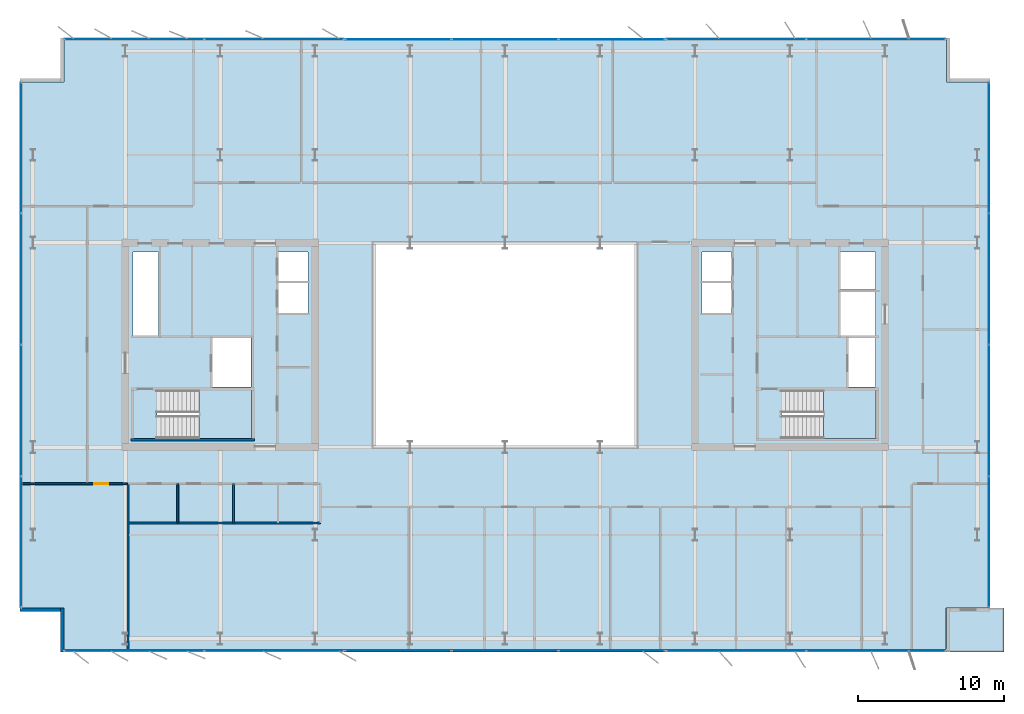
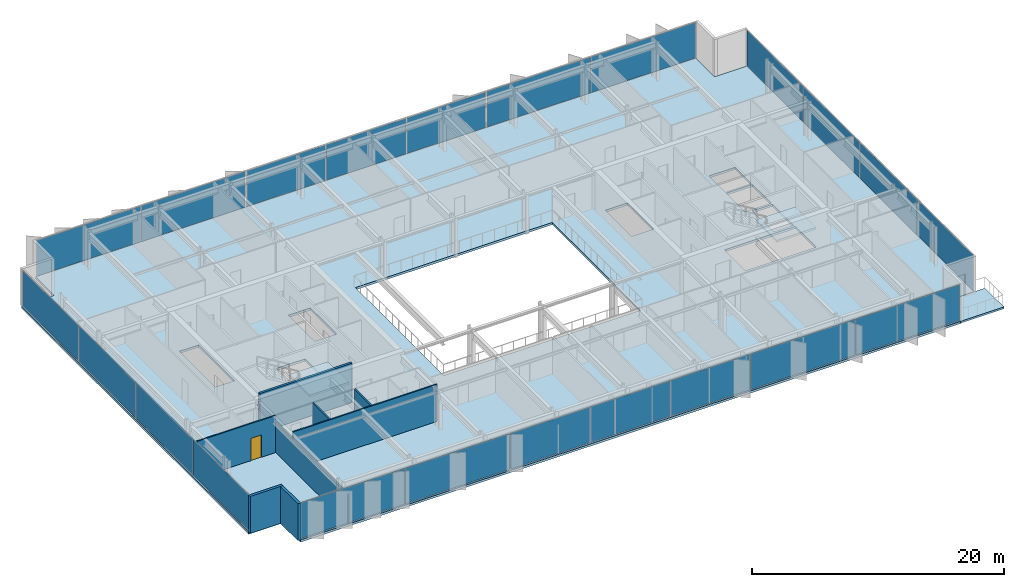
# One storey, part 16 of 24: 22 plates, 8 walls, 4 slabs, 1 door, 1 opening, 10 elements without a shape of their own.
"""IFC4 building model written with IfcOpenShell, lengths in metres."""

from ifc_helpers import new_model, si_unit, direction, frame, frame_2d, origin, origin_2d, place, context, subcontext, project, spatial, polyline, rectangle, outline, extrude, material, layer, layer_set, type_object, element, fill, aggregate, save


model = new_model("IFC4")

# Units and contexts
model_context = context("Model", 3, precision=1e-05, world=origin(), true_north=direction((0.0, 1.0)))
body_context = subcontext(model_context, "Body", "Model", "MODEL_VIEW")
ifc_project = project(units=[si_unit("LENGTHUNIT", "METRE"), si_unit("AREAUNIT", "SQUARE_METRE"), si_unit("VOLUMEUNIT", "CUBIC_METRE"), si_unit("PLANEANGLEUNIT", "RADIAN"), si_unit("MASSUNIT", "GRAM", prefix="KILO")], contexts=[model_context])

# Site, building, storey
site_placement = place(None, origin())
site = spatial("IfcSite", under=ifc_project, at=site_placement, CompositionType="ELEMENT")
building_placement = place(site_placement, origin())
building = spatial("IfcBuilding", under=site, at=building_placement, Name="Putna Gate Headquarters", CompositionType="ELEMENT")
storey_placement = place(building_placement, frame((0.0, 0.0, 240.39990234375)))
storey = spatial("IfcBuildingStorey", under=building, at=storey_placement, Name="L60", CompositionType="ELEMENT", Elevation=240.39990234375)

# Stair, slab
ifc_material_1 = material(Name="Concrete C40/50", Category="concrete")
stair_type_1 = type_object("IfcStairType", Name="STAIR-ST1", PredefinedType="HALF_TURN_STAIR", material=ifc_material_1)
stair_1_placement = place(storey_placement, origin())
stair_1 = element("IfcStair", 1, at=stair_1_placement, inside=storey, type_object=stair_type_1, Name="L60 West Core Exit Stair ST1", PredefinedType="HALF_TURN_STAIR")
ifc_layer_1 = layer(ifc_material_1, 0.199951171875)
ifc_layer_set_1 = layer_set([ifc_layer_1], Name="Concrete C40/50")
slab_type_1 = type_object("IfcSlabType", Name="LANDING-ST1", PredefinedType="LANDING", material=ifc_layer_set_1)
slab_1_placement = place(storey_placement, frame((0.0, 0.0, 1.7001953125)))
slab_1 = element("IfcSlab", 2, at=slab_1_placement, type_object=slab_type_1, Name="ST1 landing 1", PredefinedType="LANDING", context=body_context, shape_type="SweptSolid", body=[
    extrude(outline(polyline([(18.050048828125, 19.60009765625), (21.64990234375, 19.60009765625), (21.64990234375, 22.89990234375), (18.050048828125, 22.89990234375), (18.050048828125, 19.60009765625)])), origin(), (0.0, 0.0, 1.0), 0.199951171875),
])
aggregate(stair_1, [slab_1])

stair_type_2 = type_object("IfcStairType", Name="STAIR-ST2", PredefinedType="HALF_TURN_STAIR", material=ifc_material_1)
stair_2_placement = place(storey_placement, origin())
stair_2 = element("IfcStair", 3, at=stair_2_placement, inside=storey, type_object=stair_type_2, Name="L60 East Core Exit Stair ST2", PredefinedType="HALF_TURN_STAIR")
ifc_layer_2 = layer(ifc_material_1, 0.199951171875)
ifc_layer_set_2 = layer_set([ifc_layer_2], Name="Concrete C40/50")
slab_type_2 = type_object("IfcSlabType", Name="LANDING-ST2", PredefinedType="LANDING", material=ifc_layer_set_2)
slab_2_placement = place(storey_placement, frame((0.0, 0.0, 1.7001953125)))
slab_2 = element("IfcSlab", 4, at=slab_2_placement, type_object=slab_type_2, Name="ST2 landing 1", PredefinedType="LANDING", context=body_context, shape_type="SweptSolid", body=[
    extrude(outline(polyline([(60.800048828125, 19.60009765625), (64.39990234375, 19.60009765625), (64.39990234375, 22.89990234375), (60.800048828125, 22.89990234375), (60.800048828125, 19.60009765625)])), origin(), (0.0, 0.0, 1.0), 0.199951171875),
])
aggregate(stair_2, [slab_2])

# Curtain wall, plates
ifc_material_2 = material(Name="Anodised bronze aluminium curtain wall", Category="aluminium")
ifc_layer_3 = layer(ifc_material_2, 0.139892578125)
ifc_layer_set_3 = layer_set([ifc_layer_3], Name="Anodised bronze aluminium curtain wall")
curtain_wall_type_1 = type_object("IfcCurtainWallType", Name="CW-SYS-Z4", PredefinedType="USERDEFINED", material=ifc_layer_set_3)
curtain_wall_1_placement = place(storey_placement, origin())
curtain_wall_1 = element("IfcCurtainWall", 5, at=curtain_wall_1_placement, inside=storey, type_object=curtain_wall_type_1, Name="L60 South West Curtain Wall", ObjectType="STICK CURTAIN WALL", PredefinedType="USERDEFINED")
ifc_material_3 = material(Name="Solar-control triple low-E glass", Category="glass")
ifc_layer_4 = layer(ifc_material_3, 0.02587890625)
ifc_layer_set_4 = layer_set([ifc_layer_4], Name="Solar-control triple low-E glass")
plate_type_1 = type_object("IfcPlateType", Name="PAN-CWP-4", PredefinedType="CURTAIN_PANEL", material=ifc_layer_set_4)
plate_1_placement = place(storey_placement, frame((13.614990234375, 5.080078125, 0.06005859375), z_axis=(0.0, 0.0, 1.0), x_axis=(1.0, 0.0, 0.0)))
plate_1 = element("IfcPlate", 6, at=plate_1_placement, type_object=plate_type_1, Name="CWS-4 panel 1.1", PredefinedType="CURTAIN_PANEL", context=body_context, shape_type="SweptSolid", body=[
    extrude(rectangle(XDim=9.510009765625, YDim=0.02587890625, at=origin_2d()), origin(), (0.0, 0.0, 1.0), 3.4599609375),
])
plate_2_placement = place(storey_placement, frame((23.18505859375, 5.080078125, 0.06005859375), z_axis=(0.0, 0.0, 1.0), x_axis=(1.0, 0.0, 0.0)))
plate_2 = element("IfcPlate", 7, at=plate_2_placement, type_object=plate_type_1, Name="CWS-4 panel 2.1", PredefinedType="CURTAIN_PANEL", context=body_context, shape_type="SweptSolid", body=[
    extrude(rectangle(XDim=9.510009765625, YDim=0.02587890625, at=origin_2d()), origin(), (0.0, 0.0, 1.0), 3.4599609375),
])
aggregate(curtain_wall_1, [plate_1, plate_2])

curtain_wall_2_placement = place(storey_placement, origin())
curtain_wall_2 = element("IfcCurtainWall", 8, at=curtain_wall_2_placement, inside=storey, type_object=curtain_wall_type_1, Name="L60 South East Curtain Wall", ObjectType="STICK CURTAIN WALL", PredefinedType="USERDEFINED")
plate_3_placement = place(storey_placement, frame((54.81494140625, 5.080078125, 0.06005859375), z_axis=(0.0, 0.0, 1.0), x_axis=(1.0, 0.0, 0.0)))
plate_3 = element("IfcPlate", 9, at=plate_3_placement, type_object=plate_type_1, Name="CWS-4 panel 1.1", PredefinedType="CURTAIN_PANEL", context=body_context, shape_type="SweptSolid", body=[
    extrude(rectangle(XDim=9.510009765625, YDim=0.02587890625, at=origin_2d()), origin(), (0.0, 0.0, 1.0), 3.4599609375),
])
plate_4_placement = place(storey_placement, frame((64.385009765625, 5.080078125, 0.06005859375), z_axis=(0.0, 0.0, 1.0), x_axis=(1.0, 0.0, 0.0)))
plate_4 = element("IfcPlate", 10, at=plate_4_placement, type_object=plate_type_1, Name="CWS-4 panel 2.1", PredefinedType="CURTAIN_PANEL", context=body_context, shape_type="SweptSolid", body=[
    extrude(rectangle(XDim=9.510009765625, YDim=0.02587890625, at=origin_2d()), origin(), (0.0, 0.0, 1.0), 3.4599609375),
])
aggregate(curtain_wall_2, [plate_3, plate_4])

curtain_wall_3_placement = place(storey_placement, origin())
curtain_wall_3 = element("IfcCurtainWall", 11, at=curtain_wall_3_placement, inside=storey, type_object=curtain_wall_type_1, Name="L60 North West Curtain Wall", ObjectType="STICK CURTAIN WALL", PredefinedType="USERDEFINED")
plate_5_placement = place(storey_placement, frame((13.614990234375, 46.919921875, 0.06005859375), z_axis=(0.0, 0.0, 1.0), x_axis=(1.0, 0.0, 0.0)))
plate_5 = element("IfcPlate", 12, at=plate_5_placement, type_object=plate_type_1, Name="CWS-4 panel 1.1", PredefinedType="CURTAIN_PANEL", context=body_context, shape_type="SweptSolid", body=[
    extrude(rectangle(XDim=9.510009765625, YDim=0.02587890625, at=origin_2d()), origin(), (0.0, 0.0, 1.0), 3.4599609375),
])
plate_6_placement = place(storey_placement, frame((23.18505859375, 46.919921875, 0.06005859375), z_axis=(0.0, 0.0, 1.0), x_axis=(1.0, 0.0, 0.0)))
plate_6 = element("IfcPlate", 13, at=plate_6_placement, type_object=plate_type_1, Name="CWS-4 panel 2.1", PredefinedType="CURTAIN_PANEL", context=body_context, shape_type="SweptSolid", body=[
    extrude(rectangle(XDim=9.510009765625, YDim=0.02587890625, at=origin_2d()), origin(), (0.0, 0.0, 1.0), 3.4599609375),
])
aggregate(curtain_wall_3, [plate_5, plate_6])

curtain_wall_4_placement = place(storey_placement, origin())
curtain_wall_4 = element("IfcCurtainWall", 14, at=curtain_wall_4_placement, inside=storey, type_object=curtain_wall_type_1, Name="L60 North East Curtain Wall", ObjectType="STICK CURTAIN WALL", PredefinedType="USERDEFINED")
plate_7_placement = place(storey_placement, frame((54.81494140625, 46.919921875, 0.06005859375), z_axis=(0.0, 0.0, 1.0), x_axis=(1.0, 0.0, 0.0)))
plate_7 = element("IfcPlate", 15, at=plate_7_placement, type_object=plate_type_1, Name="CWS-4 panel 1.1", PredefinedType="CURTAIN_PANEL", context=body_context, shape_type="SweptSolid", body=[
    extrude(rectangle(XDim=9.510009765625, YDim=0.02587890625, at=origin_2d()), origin(), (0.0, 0.0, 1.0), 3.4599609375),
])
plate_8_placement = place(storey_placement, frame((64.385009765625, 46.919921875, 0.06005859375), z_axis=(0.0, 0.0, 1.0), x_axis=(1.0, 0.0, 0.0)))
plate_8 = element("IfcPlate", 16, at=plate_8_placement, type_object=plate_type_1, Name="CWS-4 panel 2.1", PredefinedType="CURTAIN_PANEL", context=body_context, shape_type="SweptSolid", body=[
    extrude(rectangle(XDim=9.510009765625, YDim=0.02587890625, at=origin_2d()), origin(), (0.0, 0.0, 1.0), 3.4599609375),
])
aggregate(curtain_wall_4, [plate_7, plate_8])

curtain_wall_5_placement = place(storey_placement, origin())
curtain_wall_5 = element("IfcCurtainWall", 17, at=curtain_wall_5_placement, inside=storey, type_object=curtain_wall_type_1, Name="L60 West Curtain Wall", ObjectType="STICK CURTAIN WALL", PredefinedType="USERDEFINED")
plate_9_placement = place(storey_placement, frame((5.8798828125, 12.514892578125, 0.06005859375), z_axis=(0.0, 0.0, 1.0), x_axis=(0.0, 1.0, 0.0)))
plate_9 = element("IfcPlate", 18, at=plate_9_placement, type_object=plate_type_1, Name="CWS-4 panel 1.1", PredefinedType="CURTAIN_PANEL", context=body_context, shape_type="SweptSolid", body=[
    extrude(rectangle(XDim=8.909912109375, YDim=0.02587890625, at=origin_2d()), origin(), (0.0, 0.0, 1.0), 3.4599609375),
])
plate_10_placement = place(storey_placement, frame((5.8798828125, 21.5, 0.06005859375), z_axis=(0.0, 0.0, 1.0), x_axis=(0.0, 1.0, 0.0)))
plate_10 = element("IfcPlate", 19, at=plate_10_placement, type_object=plate_type_1, Name="CWS-4 panel 2.1", PredefinedType="CURTAIN_PANEL", context=body_context, shape_type="SweptSolid", body=[
    extrude(rectangle(XDim=8.93994140625, YDim=0.02587890625, at=origin_2d()), origin(), (0.0, 0.0, 1.0), 3.4599609375),
])
plate_11_placement = place(storey_placement, frame((5.8798828125, 30.5, 0.06005859375), z_axis=(0.0, 0.0, 1.0), x_axis=(0.0, 1.0, 0.0)))
plate_11 = element("IfcPlate", 20, at=plate_11_placement, type_object=plate_type_1, Name="CWS-4 panel 3.1", PredefinedType="CURTAIN_PANEL", context=body_context, shape_type="SweptSolid", body=[
    extrude(rectangle(XDim=8.93994140625, YDim=0.02587890625, at=origin_2d()), origin(), (0.0, 0.0, 1.0), 3.4599609375),
])
plate_12_placement = place(storey_placement, frame((5.8798828125, 39.485107421875, 0.06005859375), z_axis=(0.0, 0.0, 1.0), x_axis=(0.0, 1.0, 0.0)))
plate_12 = element("IfcPlate", 21, at=plate_12_placement, type_object=plate_type_1, Name="CWS-4 panel 4.1", PredefinedType="CURTAIN_PANEL", context=body_context, shape_type="SweptSolid", body=[
    extrude(rectangle(XDim=8.909912109375, YDim=0.02587890625, at=origin_2d()), origin(), (0.0, 0.0, 1.0), 3.4599609375),
])
aggregate(curtain_wall_5, [plate_9, plate_10, plate_11, plate_12])

curtain_wall_6_placement = place(storey_placement, origin())
curtain_wall_6 = element("IfcCurtainWall", 22, at=curtain_wall_6_placement, inside=storey, type_object=curtain_wall_type_1, Name="L60 East Curtain Wall", ObjectType="STICK CURTAIN WALL", PredefinedType="USERDEFINED")
plate_13_placement = place(storey_placement, frame((72.1201171875, 12.514892578125, 0.06005859375), z_axis=(0.0, 0.0, 1.0), x_axis=(0.0, 1.0, 0.0)))
plate_13 = element("IfcPlate", 23, at=plate_13_placement, type_object=plate_type_1, Name="CWS-4 panel 1.1", PredefinedType="CURTAIN_PANEL", context=body_context, shape_type="SweptSolid", body=[
    extrude(rectangle(XDim=8.909912109375, YDim=0.02587890625, at=origin_2d()), origin(), (0.0, 0.0, 1.0), 3.4599609375),
])
plate_14_placement = place(storey_placement, frame((72.1201171875, 21.5, 0.06005859375), z_axis=(0.0, 0.0, 1.0), x_axis=(0.0, 1.0, 0.0)))
plate_14 = element("IfcPlate", 24, at=plate_14_placement, type_object=plate_type_1, Name="CWS-4 panel 2.1", PredefinedType="CURTAIN_PANEL", context=body_context, shape_type="SweptSolid", body=[
    extrude(rectangle(XDim=8.93994140625, YDim=0.02587890625, at=origin_2d()), origin(), (0.0, 0.0, 1.0), 3.4599609375),
])
plate_15_placement = place(storey_placement, frame((72.1201171875, 30.5, 0.06005859375), z_axis=(0.0, 0.0, 1.0), x_axis=(0.0, 1.0, 0.0)))
plate_15 = element("IfcPlate", 25, at=plate_15_placement, type_object=plate_type_1, Name="CWS-4 panel 3.1", PredefinedType="CURTAIN_PANEL", context=body_context, shape_type="SweptSolid", body=[
    extrude(rectangle(XDim=8.93994140625, YDim=0.02587890625, at=origin_2d()), origin(), (0.0, 0.0, 1.0), 3.4599609375),
])
plate_16_placement = place(storey_placement, frame((72.1201171875, 39.485107421875, 0.06005859375), z_axis=(0.0, 0.0, 1.0), x_axis=(0.0, 1.0, 0.0)))
plate_16 = element("IfcPlate", 26, at=plate_16_placement, type_object=plate_type_1, Name="CWS-4 panel 4.1", PredefinedType="CURTAIN_PANEL", context=body_context, shape_type="SweptSolid", body=[
    extrude(rectangle(XDim=8.909912109375, YDim=0.02587890625, at=origin_2d()), origin(), (0.0, 0.0, 1.0), 3.4599609375),
])
aggregate(curtain_wall_6, [plate_13, plate_14, plate_15, plate_16])

ifc_layer_5 = layer(ifc_material_2, 0.179931640625)
ifc_layer_set_5 = layer_set([ifc_layer_5], Name="Anodised bronze aluminium curtain wall")
curtain_wall_type_2 = type_object("IfcCurtainWallType", Name="CW-SYS-ATR", PredefinedType="USERDEFINED", material=ifc_layer_set_5)
curtain_wall_7_placement = place(storey_placement, origin())
curtain_wall_7 = element("IfcCurtainWall", 27, at=curtain_wall_7_placement, inside=storey, type_object=curtain_wall_type_2, Name="L60 South Atrium Clear Glazing", ObjectType="ATRIUM GLAZING", PredefinedType="USERDEFINED")
ifc_material_4 = material(Name="Clear low-iron triple glazing", Category="glass")
ifc_layer_6 = layer(ifc_material_4, 0.0400390625)
ifc_layer_set_6 = layer_set([ifc_layer_6], Name="Clear low-iron triple glazing")
plate_type_2 = type_object("IfcPlateType", Name="PAN-CWP-AT", PredefinedType="CURTAIN_PANEL", material=ifc_layer_set_6)
plate_17_placement = place(storey_placement, frame((31.68408203125, 5.080078125, 0.070068359375), z_axis=(0.0, 0.0, 1.0), x_axis=(1.0, 0.0, 0.0)))
plate_17 = element("IfcPlate", 28, at=plate_17_placement, type_object=plate_type_2, Name="CWS-AT panel 1.1", PredefinedType="CURTAIN_PANEL", context=body_context, shape_type="SweptSolid", body=[
    extrude(rectangle(XDim=7.228271484375, YDim=0.0400390625, at=origin_2d()), origin(), (0.0, 0.0, 1.0), 3.43994140625),
])
plate_18_placement = place(storey_placement, frame((39.0, 5.080078125, 0.070068359375), z_axis=(0.0, 0.0, 1.0), x_axis=(1.0, 0.0, 0.0)))
plate_18 = element("IfcPlate", 29, at=plate_18_placement, type_object=plate_type_2, Name="CWS-AT panel 2.1", PredefinedType="CURTAIN_PANEL", context=body_context, shape_type="SweptSolid", body=[
    extrude(rectangle(XDim=7.263427734375, YDim=0.0400390625, at=origin_2d()), origin(), (0.0, 0.0, 1.0), 3.43994140625),
])
plate_19_placement = place(storey_placement, frame((46.31591796875, 5.080078125, 0.070068359375), z_axis=(0.0, 0.0, 1.0), x_axis=(1.0, 0.0, 0.0)))
plate_19 = element("IfcPlate", 30, at=plate_19_placement, type_object=plate_type_2, Name="CWS-AT panel 3.1", PredefinedType="CURTAIN_PANEL", context=body_context, shape_type="SweptSolid", body=[
    extrude(rectangle(XDim=7.228271484375, YDim=0.0400390625, at=origin_2d()), origin(), (0.0, 0.0, 1.0), 3.43994140625),
])
aggregate(curtain_wall_7, [plate_17, plate_18, plate_19])

curtain_wall_8_placement = place(storey_placement, origin())
curtain_wall_8 = element("IfcCurtainWall", 31, at=curtain_wall_8_placement, inside=storey, type_object=curtain_wall_type_2, Name="L60 North Atrium Clear Glazing", ObjectType="ATRIUM GLAZING", PredefinedType="USERDEFINED")
plate_20_placement = place(storey_placement, frame((31.68408203125, 46.919921875, 0.070068359375), z_axis=(0.0, 0.0, 1.0), x_axis=(1.0, 0.0, 0.0)))
plate_20 = element("IfcPlate", 32, at=plate_20_placement, type_object=plate_type_2, Name="CWS-AT panel 1.1", PredefinedType="CURTAIN_PANEL", context=body_context, shape_type="SweptSolid", body=[
    extrude(rectangle(XDim=7.228271484375, YDim=0.0400390625, at=origin_2d()), origin(), (0.0, 0.0, 1.0), 3.43994140625),
])
plate_21_placement = place(storey_placement, frame((39.0, 46.919921875, 0.070068359375), z_axis=(0.0, 0.0, 1.0), x_axis=(1.0, 0.0, 0.0)))
plate_21 = element("IfcPlate", 33, at=plate_21_placement, type_object=plate_type_2, Name="CWS-AT panel 2.1", PredefinedType="CURTAIN_PANEL", context=body_context, shape_type="SweptSolid", body=[
    extrude(rectangle(XDim=7.263427734375, YDim=0.0400390625, at=origin_2d()), origin(), (0.0, 0.0, 1.0), 3.43994140625),
])
plate_22_placement = place(storey_placement, frame((46.31591796875, 46.919921875, 0.070068359375), z_axis=(0.0, 0.0, 1.0), x_axis=(1.0, 0.0, 0.0)))
plate_22 = element("IfcPlate", 34, at=plate_22_placement, type_object=plate_type_2, Name="CWS-AT panel 3.1", PredefinedType="CURTAIN_PANEL", context=body_context, shape_type="SweptSolid", body=[
    extrude(rectangle(XDim=7.228271484375, YDim=0.0400390625, at=origin_2d()), origin(), (0.0, 0.0, 1.0), 3.43994140625),
])
aggregate(curtain_wall_8, [plate_20, plate_21, plate_22])

# Slabs
ifc_layer_7 = layer(ifc_material_1, 0.179931640625)
ifc_layer_set_7 = layer_set([ifc_layer_7], Name="Concrete C40/50")
slab_type_3 = type_object("IfcSlabType", Name="SLAB-TERRACE-180", PredefinedType="FLOOR", material=ifc_layer_set_7)
slab_3_placement = place(storey_placement, frame((0.0, 0.0, -0.179931640625)))
element("IfcSlab", 35, at=slab_3_placement, inside=storey, type_object=slab_type_3, Name="L60 Spiral Sky-Garden Terrace Slab (SE)", PredefinedType="FLOOR", context=body_context, shape_type="SweptSolid", body=[
    extrude(outline(polyline([(69.19189453125, 5.0), (73.14990234375, 5.0), (73.14990234375, 8.008056640625), (69.19189453125, 8.008056640625), (69.19189453125, 5.0)])), origin(), (0.0, 0.0, 1.0), 0.179931640625),
])
ifc_layer_8 = layer(ifc_material_1, 0.219970703125)
ifc_layer_set_8 = layer_set([ifc_layer_8], Name="Concrete C40/50")
slab_type_4 = type_object("IfcSlabType", Name="SLAB-Z4-220", PredefinedType="FLOOR", material=ifc_layer_set_8)
slab_4_placement = place(storey_placement, frame((0.0, 0.0, -0.219970703125)))
element("IfcSlab", 36, at=slab_4_placement, inside=storey, type_object=slab_type_4, Name="L60 Composite Floor Slab", PredefinedType="FLOOR", context=body_context, shape_type="SweptSolid", body=[
    extrude(outline(polyline([(8.800048828125, 5.0), (69.199951171875, 5.0), (69.199951171875, 8.0), (72.199951171875, 8.0), (72.199951171875, 44.0), (69.199951171875, 44.0), (69.199951171875, 47.0), (8.800048828125, 47.0), (8.800048828125, 44.0), (5.800048828125, 44.0), (5.800048828125, 8.0), (8.800048828125, 8.0), (8.800048828125, 5.0)]), holes=[polyline([(15.1650390625, 19.60009765625), (21.64990234375, 19.60009765625), (21.64990234375, 22.89990234375), (15.1650390625, 22.89990234375), (15.1650390625, 19.60009765625)]), polyline([(57.9150390625, 19.60009765625), (64.39990234375, 19.60009765625), (64.39990234375, 22.89990234375), (57.9150390625, 22.89990234375), (57.9150390625, 19.60009765625)]), polyline([(13.52001953125, 26.659912109375), (15.280029296875, 26.659912109375), (15.280029296875, 32.35009765625), (13.52001953125, 32.35009765625), (13.52001953125, 26.659912109375)]), polyline([(61.969970703125, 29.780029296875), (64.35009765625, 29.780029296875), (64.35009765625, 32.35009765625), (61.969970703125, 32.35009765625), (61.969970703125, 29.780029296875)]), polyline([(18.97998046875, 23.1201171875), (21.6201171875, 23.1201171875), (21.6201171875, 26.4599609375), (18.97998046875, 26.4599609375), (18.97998046875, 23.1201171875)]), polyline([(62.52001953125, 23.1201171875), (64.35009765625, 23.1201171875), (64.35009765625, 26.4599609375), (62.52001953125, 26.4599609375), (62.52001953125, 23.1201171875)]), polyline([(61.969970703125, 26.659912109375), (64.35009765625, 26.659912109375), (64.35009765625, 29.6201171875), (61.969970703125, 29.6201171875), (61.969970703125, 26.659912109375)]), polyline([(23.5, 28.199951171875), (25.5, 28.199951171875), (25.5, 32.35009765625), (23.5, 32.35009765625), (23.5, 28.199951171875)]), polyline([(52.47998046875, 28.199951171875), (54.5, 28.199951171875), (54.5, 32.35009765625), (52.47998046875, 32.35009765625), (52.47998046875, 28.199951171875)]), polyline([(30.0, 19.0), (48.0, 19.0), (48.0, 33.0), (30.0, 33.0), (30.0, 19.0)])]), origin(), (0.0, 0.0, 1.0), 0.219970703125),
])

# Walls
ifc_material_5 = material(Name="Precast concrete C40/50", Category="concrete")
ifc_layer_9 = layer(ifc_material_5, 0.239990234375)
ifc_layer_set_9 = layer_set([ifc_layer_9], Name="Precast concrete C40/50")
wall_type_1 = type_object("IfcWallType", Name="WALL-EXT-TERR-240", PredefinedType="STANDARD", material=ifc_layer_set_9)
for number, where, z_axis, x_axis, name in (
    (37, (8.679931640625, 5.0, 0.0), (0.0, 0.0, 1.0), (0.0, 1.0, 0.0), "L60 Corner Notch Return Wall SW-V"),
    (38, (8.800048828125, 7.8798828125, 0.0), (0.0, 0.0, 1.0), (-1.0, 0.0, 0.0), "L60 Corner Notch Return Wall SW-H"),
):
    element("IfcWall", number, at=place(storey_placement, frame(where, z_axis=z_axis, x_axis=x_axis)), inside=storey, type_object=wall_type_1, Name=name, PredefinedType="STANDARD", context=body_context, shape_type="SweptSolid", body=[
        extrude(rectangle(XDim=3.0, YDim=0.239990234375, at=frame_2d((1.5, 0.0))), origin(), (0.0, 0.0, 1.0), 3.580078125),
    ])
ifc_material_6 = material(Name="Acoustic gypsum board on metal stud")
ifc_layer_10 = layer(ifc_material_6, 0.1201171875)
ifc_layer_set_10 = layer_set([ifc_layer_10], Name="Acoustic gypsum board on metal stud")
wall_type_2 = type_object("IfcWallType", Name="WALL-PART-120", PredefinedType="PARTITIONING", material=ifc_layer_set_10)
wall_1_placement = place(storey_placement, frame((13.199951171875, 5.02001953125, 0.0), z_axis=(0.0, 0.0, 1.0), x_axis=(0.0, 1.0, 0.0)))
element("IfcWall", 39, at=wall_1_placement, inside=storey, type_object=wall_type_2, Name="L60 Interior Wall PART-L60-SB-DIV-01", PredefinedType="PARTITIONING", context=body_context, shape_type="SweptSolid", body=[
    extrude(rectangle(XDim=11.419921875, YDim=0.1201171875, at=frame_2d((5.7099609375, 0.0))), origin(), (0.0, 0.0, 1.0), 2.880126953125),
])
ifc_material_7 = material(Name="Fire-rated gypsum board on metal stud")
ifc_layer_11 = layer(ifc_material_7, 0.1201171875)
ifc_layer_set_11 = layer_set([ifc_layer_11], Name="Fire-rated gypsum board on metal stud")
wall_type_3 = type_object("IfcWallType", Name="WALL-PART-120-RATED", PredefinedType="PARTITIONING", material=ifc_layer_set_11)
wall_2_placement = place(storey_placement, frame((13.199951171875, 13.820068359375, 0.0), z_axis=(0.0, 0.0, 1.0), x_axis=(1.0, 0.0, 0.0)))
element("IfcWall", 40, at=wall_2_placement, inside=storey, type_object=wall_type_3, Name="L60 Interior Wall PART-L60-SAN-BACK", PredefinedType="PARTITIONING", context=body_context, shape_type="SweptSolid", body=[
    extrude(rectangle(XDim=13.16015625, YDim=0.1201171875, at=frame_2d((6.580078125, 0.0))), origin(), (0.0, 0.0, 1.0), 3.580078125),
])
for number, where, z_axis, x_axis, name in (
    (41, (16.60009765625, 13.820068359375, 0.0), (0.0, 0.0, 1.0), (0.0, 1.0, 0.0), "L60 Interior Wall PART-L60-SAN-DIV-1"),
    (42, (20.419921875, 13.820068359375, 0.0), (0.0, 0.0, 1.0), (0.0, 1.0, 0.0), "L60 Interior Wall PART-L60-SAN-DIV-2"),
):
    element("IfcWall", number, at=place(storey_placement, frame(where, z_axis=z_axis, x_axis=x_axis)), inside=storey, type_object=wall_type_3, Name=name, PredefinedType="PARTITIONING", context=body_context, shape_type="SweptSolid", body=[
        extrude(rectangle(XDim=2.679931640625, YDim=0.1201171875, at=frame_2d((1.33984375, 0.0))), origin(), (0.0, 0.0, 1.0), 3.580078125),
    ])

# Wall, opening, door
wall_3_placement = place(storey_placement, frame((5.97998046875, 16.5, 0.0), z_axis=(0.0, 0.0, 1.0), x_axis=(1.0, 0.0, 0.0)))
wall_3 = element("IfcWall", 43, at=wall_3_placement, inside=storey, type_object=wall_type_3, Name="L60 Interior Wall PART-L60-SB-CW-01", PredefinedType="PARTITIONING", context=body_context, shape_type="SweptSolid", body=[
    extrude(rectangle(XDim=7.159912109375, YDim=0.1201171875, at=frame_2d((3.580078125, 0.0))), origin(), (0.0, 0.0, 1.0), 3.580078125),
])
opening_placement = place(wall_3_placement, frame((4.89990234375, 0.0, 0.0)))
opening = element("IfcOpeningElement", 44, at=opening_placement, cuts=wall_3, Name="Opening FD-95", PredefinedType="OPENING", context=body_context, shape_type="SweptSolid", body=[
    extrude(rectangle(XDim=0.949951171875, YDim=2.14990234375, at=frame_2d((0.47509765625, 1.074951171875))), frame((0.0, 0.070068359375, 0.0), z_axis=(0.0, -1.0, 0.0), x_axis=(1.0, 0.0, 0.0)), (0.0, 0.0, 1.0), 0.14013671875),
])
ifc_material_8 = material(Name="Acoustic timber fire door", Category="wood")
door_type = type_object("IfcDoorType", Name="DOOR-FIRE-950", OperationType="NOTDEFINED", PredefinedType="DOOR", material=ifc_material_8)
door_placement = place(opening_placement, origin())
door = element("IfcDoor", 45, at=door_placement, inside=storey, type_object=door_type, Name="L60 Conference Meeting Room 2 Door", OperationType="SINGLE_SWING_RIGHT", OverallHeight=2.14990234375, OverallWidth=0.949951171875, PredefinedType="DOOR", context=body_context, shape_type="SweptSolid", body=[
    extrude(rectangle(XDim=0.949951171875, YDim=2.14990234375, at=frame_2d((0.47509765625, 1.074951171875))), frame((0.0, 0.02490234375, 0.0), z_axis=(0.0, -1.0, 0.0), x_axis=(1.0, 0.0, 0.0)), (0.0, 0.0, 1.0), 0.050048828125),
])
fill(opening, door)

# Wall
ifc_layer_12 = layer(ifc_material_1, 0.199951171875)
ifc_layer_set_12 = layer_set([ifc_layer_12], Name="Concrete C40/50")
wall_type_4 = type_object("IfcWallType", Name="WALL-SHAFT-RC200", PredefinedType="SHEAR", material=ifc_layer_set_12)
wall_4_placement = place(storey_placement, frame((13.409912109375, 19.510009765625, 0.0), z_axis=(0.0, 0.0, 1.0), x_axis=(1.0, 0.0, 0.0)))
element("IfcWall", 46, at=wall_4_placement, inside=storey, type_object=wall_type_4, Name="L60 Stair ST1 Structural Shaft Wall S", PredefinedType="SHEAR", context=body_context, shape_type="SweptSolid", body=[
    extrude(rectangle(XDim=8.43017578125, YDim=0.199951171875, at=frame_2d((4.215087890625, 0.0))), origin(), (0.0, 0.0, 1.0), 3.800048828125),
])

save(model, "model.ifc")
